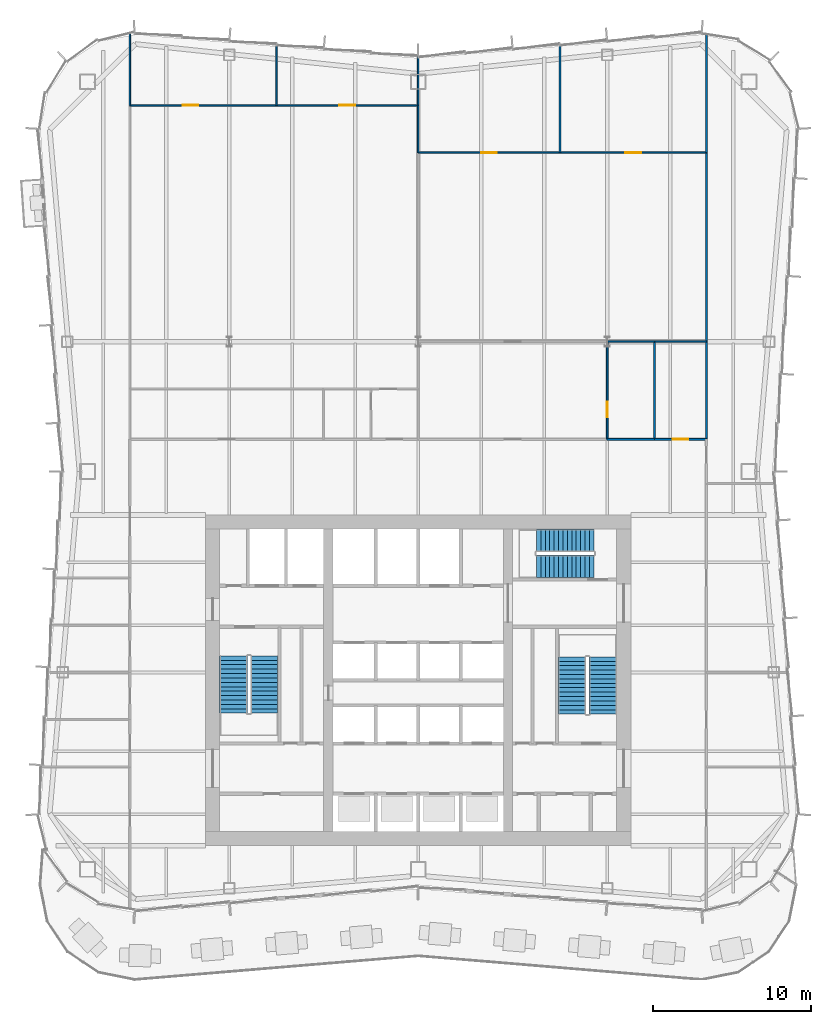
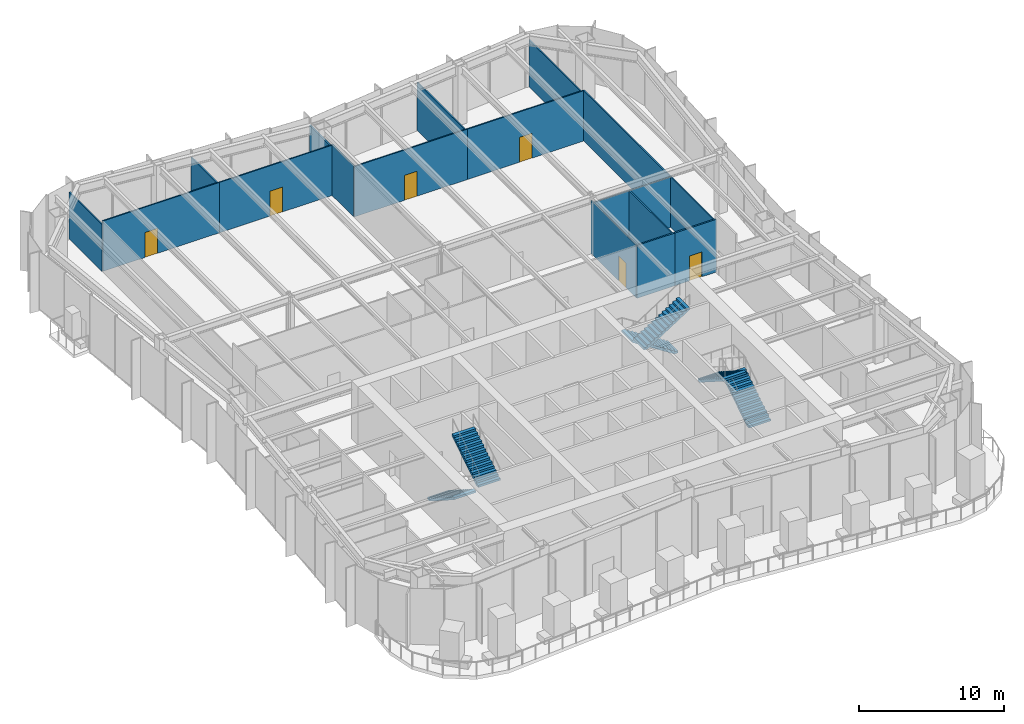
# One storey, part 12 of 16: 18 walls, 6 doors, 6 stair flights, 6 openings, 3 elements without a shape of their own.
"""IFC4 building model written with IfcOpenShell, lengths in metres."""

from ifc_helpers import new_model, si_unit, direction, frame, frame_2d, origin, place, context, subcontext, project, spatial, polyline, rectangle, outline, extrude, material, layer, layer_set, type_object, element, fill, aggregate, save


model = new_model("IFC4")

# Units and contexts
model_context = context("Model", 3, precision=1e-05, world=origin(), true_north=direction((0.0, 1.0)))
body_context = subcontext(model_context, "Body", "Model", "MODEL_VIEW")
ifc_project = project(units=[si_unit("LENGTHUNIT", "METRE"), si_unit("AREAUNIT", "SQUARE_METRE"), si_unit("VOLUMEUNIT", "CUBIC_METRE"), si_unit("PLANEANGLEUNIT", "RADIAN"), si_unit("MASSUNIT", "GRAM", prefix="KILO")], contexts=[model_context])

# Site, building, storey
site_placement = place(None, origin())
site = spatial("IfcSite", under=ifc_project, at=site_placement, CompositionType="ELEMENT")
building_placement = place(site_placement, origin())
building = spatial("IfcBuilding", under=site, at=building_placement, Name="Verdant Reach Tower", CompositionType="ELEMENT")
storey_placement = place(building_placement, frame((0.0, 0.0, 177.0)))
storey = spatial("IfcBuildingStorey", under=building, at=storey_placement, Name="L40", CompositionType="ELEMENT", Elevation=177.0)

# Wall, opening, door
ifc_material_1 = material(Name="Gypsum board on steel studs", Category="steel")
ifc_layer_1 = layer(ifc_material_1, 0.10009765625)
ifc_layer_set_1 = layer_set([ifc_layer_1], Name="FL-W1 Partition 100")
wall_type_1 = type_object("IfcWallType", Name="FL-W1 Partition 100", PredefinedType="PARTITIONING", material=ifc_layer_set_1)
wall_1_placement = place(storey_placement, frame((-18.300048828125, 64.5, 0.0), z_axis=(0.0, 0.0, 1.0), x_axis=(1.0, 0.0, 0.0)))
wall_1 = element("IfcWall", 1, at=wall_1_placement, inside=storey, type_object=wall_type_1, Name="Partition 40.24", PredefinedType="PARTITIONING", context=body_context, shape_type="SweptSolid", body=[
    extrude(rectangle(XDim=9.300048828125, YDim=0.10009765625, at=frame_2d((4.64990234375, 0.0))), origin(), (0.0, 0.0, 1.0), 4.239990234375),
])
opening_1_placement = place(wall_1_placement, frame((3.35009765625, 0.0, 0.0)))
opening_1 = element("IfcOpeningElement", 2, at=opening_1_placement, cuts=wall_1, Name="Opening D3", PredefinedType="OPENING", context=body_context, shape_type="SweptSolid", body=[
    extrude(rectangle(XDim=1.0, YDim=2.10009765625, at=frame_2d((0.5, 1.050048828125))), frame((0.0, 0.06005859375, 0.0), z_axis=(0.0, -1.0, 0.0), x_axis=(1.0, 0.0, 0.0)), (0.0, 0.0, 1.0), 0.1201171875),
])
ifc_material_2 = material(Name="Painted timber door leaf", Category="wood")
door_type_1 = type_object("IfcDoorType", Name="FL-D3 Door 1000x2100", OperationType="NOTDEFINED", PredefinedType="DOOR", material=ifc_material_2)
door_1_placement = place(opening_1_placement, origin())
door_1 = element("IfcDoor", 3, at=door_1_placement, inside=storey, type_object=door_type_1, Name="Door 40-017", OperationType="SINGLE_SWING_LEFT", OverallHeight=2.10009765625, OverallWidth=1.0, PredefinedType="DOOR", context=body_context, shape_type="SweptSolid", body=[
    extrude(rectangle(XDim=1.0, YDim=2.10009765625, at=frame_2d((0.5, 1.050048828125))), frame((0.0, 0.02490234375, 0.0), z_axis=(0.0, -1.0, 0.0), x_axis=(1.0, 0.0, 0.0)), (0.0, 0.0, 1.0), 0.050048828125),
])
fill(opening_1, door_1)

wall_2_placement = place(storey_placement, frame((-9.0, 64.5, 0.0), z_axis=(0.0, 0.0, 1.0), x_axis=(1.0, 0.0, 0.0)))
wall_2 = element("IfcWall", 4, at=wall_2_placement, inside=storey, type_object=wall_type_1, Name="Partition 40.25", PredefinedType="PARTITIONING", context=body_context, shape_type="SweptSolid", body=[
    extrude(rectangle(XDim=9.0, YDim=0.10009765625, at=frame_2d((4.5, 0.0))), origin(), (0.0, 0.0, 1.0), 4.239990234375),
])
opening_2_placement = place(wall_2_placement, frame((4.0, 0.0, 0.0)))
opening_2 = element("IfcOpeningElement", 5, at=opening_2_placement, cuts=wall_2, Name="Opening D3", PredefinedType="OPENING", context=body_context, shape_type="SweptSolid", body=[
    extrude(rectangle(XDim=1.0, YDim=2.10009765625, at=frame_2d((0.5, 1.050048828125))), frame((0.0, 0.06005859375, 0.0), z_axis=(0.0, -1.0, 0.0), x_axis=(1.0, 0.0, 0.0)), (0.0, 0.0, 1.0), 0.1201171875),
])
door_2_placement = place(opening_2_placement, origin())
door_2 = element("IfcDoor", 6, at=door_2_placement, inside=storey, type_object=door_type_1, Name="Door 40-018", OperationType="SINGLE_SWING_RIGHT", OverallHeight=2.10009765625, OverallWidth=1.0, PredefinedType="DOOR", context=body_context, shape_type="SweptSolid", body=[
    extrude(rectangle(XDim=1.0, YDim=2.10009765625, at=frame_2d((0.5, 1.050048828125))), frame((0.0, 0.02490234375, 0.0), z_axis=(0.0, -1.0, 0.0), x_axis=(1.0, 0.0, 0.0)), (0.0, 0.0, 1.0), 0.050048828125),
])
fill(opening_2, door_2)

# Walls
wall_3_placement = place(storey_placement, frame((0.0, 61.5, 0.0), z_axis=(0.0, 0.0, 1.0), x_axis=(0.0, 1.0, 0.0)))
element("IfcWall", 7, at=wall_3_placement, inside=storey, type_object=wall_type_1, Name="Partition 40.28", PredefinedType="PARTITIONING", context=body_context, shape_type="SweptSolid", body=[
    extrude(rectangle(XDim=3.00390625, YDim=0.10009765625, at=frame_2d((1.501953125, 0.0))), origin(), (0.0, 0.0, 1.0), 4.2900390625),
])
wall_4_placement = place(storey_placement, frame((-9.0, 64.5, 0.0), z_axis=(0.0, 0.0, 1.0), x_axis=(0.0, 1.0, 0.0)))
element("IfcWall", 8, at=wall_4_placement, inside=storey, type_object=wall_type_1, Name="Partition 40.30", PredefinedType="PARTITIONING", context=body_context, shape_type="SweptSolid", body=[
    extrude(rectangle(XDim=3.830078125, YDim=0.10009765625, at=frame_2d((1.9150390625, 0.0))), origin(), (0.0, 0.0, 1.0), 4.0400390625),
])
wall_5_placement = place(storey_placement, frame((-18.300048828125, 69.020263671875, 0.0), z_axis=(0.0, 0.0, 1.0), x_axis=(0.0, -1.0, 0.0)))
element("IfcWall", 9, at=wall_5_placement, inside=storey, type_object=wall_type_1, Name="Partition 40.31", PredefinedType="PARTITIONING", context=body_context, shape_type="SweptSolid", body=[
    extrude(rectangle(XDim=4.524169921875, YDim=0.10009765625, at=frame_2d((2.26220703125, 0.0))), origin(), (0.0, 0.0, 1.0), 3.929931640625),
])
wall_6_placement = place(storey_placement, frame((0.0, 64.49609375, 0.0), z_axis=(0.0, 0.0, 1.0), x_axis=(0.0, 1.0, 0.0)))
element("IfcWall", 10, at=wall_6_placement, inside=storey, type_object=wall_type_1, Name="Partition 40.32", PredefinedType="PARTITIONING", context=body_context, shape_type="SweptSolid", body=[
    extrude(rectangle(XDim=3.083984375, YDim=0.10009765625, at=frame_2d((1.5419921875, 0.0))), origin(), (0.0, 0.0, 1.0), 4.0400390625),
])

# Wall, opening, door
wall_7_placement = place(storey_placement, frame((12.0, 49.5, 0.0), z_axis=(0.0, 0.0, 1.0), x_axis=(0.0, -1.0, 0.0)))
wall_7 = element("IfcWall", 11, at=wall_7_placement, inside=storey, type_object=wall_type_1, Name="Partition 40.33", PredefinedType="PARTITIONING", context=body_context, shape_type="SweptSolid", body=[
    extrude(rectangle(XDim=6.199951171875, YDim=0.10009765625, at=frame_2d((3.10009765625, 0.0))), origin(), (0.0, 0.0, 1.0), 4.43994140625),
])
opening_3_placement = place(wall_7_placement, frame((3.800048828125, 0.0, 0.0)))
opening_3 = element("IfcOpeningElement", 12, at=opening_3_placement, cuts=wall_7, Name="Opening D3", PredefinedType="OPENING", context=body_context, shape_type="SweptSolid", body=[
    extrude(rectangle(XDim=1.0, YDim=2.10009765625, at=frame_2d((0.5, 1.050048828125))), frame((0.0, 0.06005859375, 0.0), z_axis=(0.0, -1.0, 0.0), x_axis=(1.0, 0.0, 0.0)), (0.0, 0.0, 1.0), 0.1201171875),
])
door_3_placement = place(opening_3_placement, origin())
door_3 = element("IfcDoor", 13, at=door_3_placement, inside=storey, type_object=door_type_1, Name="Door 40-019", OperationType="SINGLE_SWING_RIGHT", OverallHeight=2.10009765625, OverallWidth=1.0, PredefinedType="DOOR", context=body_context, shape_type="SweptSolid", body=[
    extrude(rectangle(XDim=1.0, YDim=2.10009765625, at=frame_2d((0.5, 1.050048828125))), frame((0.0, 0.02490234375, 0.0), z_axis=(0.0, -1.0, 0.0), x_axis=(1.0, 0.0, 0.0)), (0.0, 0.0, 1.0), 0.050048828125),
])
fill(opening_3, door_3)

# Walls
wall_8_placement = place(storey_placement, frame((15.0, 43.300048828125, 0.0), z_axis=(0.0, 0.0, 1.0), x_axis=(0.0, 1.0, 0.0)))
element("IfcWall", 14, at=wall_8_placement, inside=storey, type_object=wall_type_1, Name="Partition 40.35", PredefinedType="PARTITIONING", context=body_context, shape_type="SweptSolid", body=[
    extrude(rectangle(XDim=6.199951171875, YDim=0.10009765625, at=frame_2d((3.10009765625, 0.0))), origin(), (0.0, 0.0, 1.0), 4.239990234375),
])
wall_9_placement = place(storey_placement, frame((15.00390625, 49.5, 0.0), z_axis=(0.0, 0.0, 1.0), x_axis=(-1.0, 0.0, 0.0)))
element("IfcWall", 15, at=wall_9_placement, inside=storey, type_object=wall_type_1, Name="Partition 40.36", PredefinedType="PARTITIONING", context=body_context, shape_type="SweptSolid", body=[
    extrude(rectangle(XDim=3.0078125, YDim=0.10009765625, at=frame_2d((1.50390625, 0.0))), origin(), (0.0, 0.0, 1.0), 4.239990234375),
])
wall_10_placement = place(storey_placement, frame((18.300048828125, 49.5, 0.0), z_axis=(0.0, 0.0, 1.0), x_axis=(-1.0, 0.0, 0.0)))
element("IfcWall", 16, at=wall_10_placement, inside=storey, type_object=wall_type_1, Name="Partition 40.37", PredefinedType="PARTITIONING", context=body_context, shape_type="SweptSolid", body=[
    extrude(rectangle(XDim=3.303955078125, YDim=0.10009765625, at=frame_2d((1.65185546875, 0.0))), origin(), (0.0, 0.0, 1.0), 4.239990234375),
])
wall_11_placement = place(storey_placement, frame((18.300048828125, 43.2958984375, 0.0), z_axis=(0.0, 0.0, 1.0), x_axis=(0.0, 1.0, 0.0)))
element("IfcWall", 17, at=wall_11_placement, inside=storey, type_object=wall_type_1, Name="Partition 40.38", PredefinedType="PARTITIONING", context=body_context, shape_type="SweptSolid", body=[
    extrude(rectangle(XDim=6.2080078125, YDim=0.10009765625, at=frame_2d((3.10400390625, 0.0))), origin(), (0.0, 0.0, 1.0), 4.239990234375),
])

# Wall, opening, door
wall_12_placement = place(storey_placement, frame((0.0, 61.5, 0.0), z_axis=(0.0, 0.0, 1.0), x_axis=(1.0, 0.0, 0.0)))
wall_12 = element("IfcWall", 18, at=wall_12_placement, inside=storey, type_object=wall_type_1, Name="Partition 40.39", PredefinedType="PARTITIONING", context=body_context, shape_type="SweptSolid", body=[
    extrude(rectangle(XDim=9.0, YDim=0.10009765625, at=frame_2d((4.5, 0.0))), origin(), (0.0, 0.0, 1.0), 4.239990234375),
])
opening_4_placement = place(wall_12_placement, frame((4.0, 0.0, 0.0)))
opening_4 = element("IfcOpeningElement", 19, at=opening_4_placement, cuts=wall_12, Name="Opening D3", PredefinedType="OPENING", context=body_context, shape_type="SweptSolid", body=[
    extrude(rectangle(XDim=1.0, YDim=2.10009765625, at=frame_2d((0.5, 1.050048828125))), frame((0.0, 0.06005859375, 0.0), z_axis=(0.0, -1.0, 0.0), x_axis=(1.0, 0.0, 0.0)), (0.0, 0.0, 1.0), 0.1201171875),
])
door_4_placement = place(opening_4_placement, origin())
door_4 = element("IfcDoor", 20, at=door_4_placement, inside=storey, type_object=door_type_1, Name="Door 40-021", OperationType="SINGLE_SWING_LEFT", OverallHeight=2.10009765625, OverallWidth=1.0, PredefinedType="DOOR", context=body_context, shape_type="SweptSolid", body=[
    extrude(rectangle(XDim=1.0, YDim=2.10009765625, at=frame_2d((0.5, 1.050048828125))), frame((0.0, 0.02490234375, 0.0), z_axis=(0.0, -1.0, 0.0), x_axis=(1.0, 0.0, 0.0)), (0.0, 0.0, 1.0), 0.050048828125),
])
fill(opening_4, door_4)

wall_13_placement = place(storey_placement, frame((9.0, 61.5, 0.0), z_axis=(0.0, 0.0, 1.0), x_axis=(1.0, 0.0, 0.0)))
wall_13 = element("IfcWall", 21, at=wall_13_placement, inside=storey, type_object=wall_type_1, Name="Partition 40.40", PredefinedType="PARTITIONING", context=body_context, shape_type="SweptSolid", body=[
    extrude(rectangle(XDim=9.300048828125, YDim=0.10009765625, at=frame_2d((4.64990234375, 0.0))), origin(), (0.0, 0.0, 1.0), 4.239990234375),
])
opening_5_placement = place(wall_13_placement, frame((4.14990234375, 0.0, 0.0)))
opening_5 = element("IfcOpeningElement", 22, at=opening_5_placement, cuts=wall_13, Name="Opening D3", PredefinedType="OPENING", context=body_context, shape_type="SweptSolid", body=[
    extrude(rectangle(XDim=1.0, YDim=2.10009765625, at=frame_2d((0.5, 1.050048828125))), frame((0.0, 0.06005859375, 0.0), z_axis=(0.0, -1.0, 0.0), x_axis=(1.0, 0.0, 0.0)), (0.0, 0.0, 1.0), 0.1201171875),
])
door_5_placement = place(opening_5_placement, origin())
door_5 = element("IfcDoor", 23, at=door_5_placement, inside=storey, type_object=door_type_1, Name="Door 40-022", OperationType="SINGLE_SWING_RIGHT", OverallHeight=2.10009765625, OverallWidth=1.0, PredefinedType="DOOR", context=body_context, shape_type="SweptSolid", body=[
    extrude(rectangle(XDim=1.0, YDim=2.10009765625, at=frame_2d((0.5, 1.050048828125))), frame((0.0, 0.02490234375, 0.0), z_axis=(0.0, -1.0, 0.0), x_axis=(1.0, 0.0, 0.0)), (0.0, 0.0, 1.0), 0.050048828125),
])
fill(opening_5, door_5)

# Walls
wall_14_placement = place(storey_placement, frame((18.300048828125, 49.49609375, 0.0), z_axis=(0.0, 0.0, 1.0), x_axis=(0.0, 1.0, 0.0)))
element("IfcWall", 24, at=wall_14_placement, inside=storey, type_object=wall_type_1, Name="Partition 40.41", PredefinedType="PARTITIONING", context=body_context, shape_type="SweptSolid", body=[
    extrude(rectangle(XDim=12.0078125, YDim=0.10009765625, at=frame_2d((6.00390625, 0.0))), origin(), (0.0, 0.0, 1.0), 4.239990234375),
])
wall_15_placement = place(storey_placement, frame((9.0, 61.5, 0.0), z_axis=(0.0, 0.0, 1.0), x_axis=(0.0, 1.0, 0.0)))
element("IfcWall", 25, at=wall_15_placement, inside=storey, type_object=wall_type_1, Name="Partition 40.42", PredefinedType="PARTITIONING", context=body_context, shape_type="SweptSolid", body=[
    extrude(rectangle(XDim=6.830078125, YDim=0.10009765625, at=frame_2d((3.4150390625, 0.0))), origin(), (0.0, 0.0, 1.0), 4.0400390625),
])
wall_16_placement = place(storey_placement, frame((18.300048828125, 61.49609375, 0.0), z_axis=(0.0, 0.0, 1.0), x_axis=(0.0, 1.0, 0.0)))
element("IfcWall", 26, at=wall_16_placement, inside=storey, type_object=wall_type_1, Name="Partition 40.43", PredefinedType="PARTITIONING", context=body_context, shape_type="SweptSolid", body=[
    extrude(rectangle(XDim=7.524169921875, YDim=0.10009765625, at=frame_2d((3.76220703125, 0.0))), origin(), (0.0, 0.0, 1.0), 3.929931640625),
])
ifc_material_3 = material(Name="Gypsum board on steel studs, fire rated", Category="steel")
ifc_layer_2 = layer(ifc_material_3, 0.125)
ifc_layer_set_2 = layer_set([ifc_layer_2], Name="FL-W2 Corridor wall 125")
wall_type_2 = type_object("IfcWallType", Name="FL-W2 Corridor wall 125", PredefinedType="PARTITIONING", material=ifc_layer_set_2)
wall_17_placement = place(storey_placement, frame((15.0, 43.300048828125, 0.0), z_axis=(0.0, 0.0, 1.0), x_axis=(-1.0, 0.0, 0.0)))
element("IfcWall", 27, at=wall_17_placement, inside=storey, type_object=wall_type_2, Name="Partition 40.05", PredefinedType="PARTITIONING", context=body_context, shape_type="SweptSolid", body=[
    extrude(rectangle(XDim=3.0, YDim=0.125, at=frame_2d((1.5, 0.0))), origin(), (0.0, 0.0, 1.0), 4.43994140625),
])

# Wall, opening, door
wall_18_placement = place(storey_placement, frame((15.0, 43.300048828125, 0.0), z_axis=(0.0, 0.0, 1.0), x_axis=(1.0, 0.0, 0.0)))
wall_18 = element("IfcWall", 28, at=wall_18_placement, inside=storey, type_object=wall_type_2, Name="Partition 40.06", PredefinedType="PARTITIONING", context=body_context, shape_type="SweptSolid", body=[
    extrude(rectangle(XDim=3.300048828125, YDim=0.125, at=frame_2d((1.64990234375, 0.0))), origin(), (0.0, 0.0, 1.0), 4.43994140625),
])
opening_6_placement = place(wall_18_placement, frame((1.14990234375, 0.0, 0.0)))
opening_6 = element("IfcOpeningElement", 29, at=opening_6_placement, cuts=wall_18, Name="Opening D2", PredefinedType="OPENING", context=body_context, shape_type="SweptSolid", body=[
    extrude(rectangle(XDim=1.0, YDim=2.10009765625, at=frame_2d((0.5, 1.050048828125))), frame((0.0, 0.072509765625, 0.0), z_axis=(0.0, -1.0, 0.0), x_axis=(1.0, 0.0, 0.0)), (0.0, 0.0, 1.0), 0.14501953125),
])
ifc_material_4 = material(Name="Timber door leaf, fire rated", Category="wood")
door_type_2 = type_object("IfcDoorType", Name="FL-D2 Entrance door 1000x2100 FD30", OperationType="NOTDEFINED", PredefinedType="DOOR", material=ifc_material_4)
door_6_placement = place(opening_6_placement, origin())
door_6 = element("IfcDoor", 30, at=door_6_placement, inside=storey, type_object=door_type_2, Name="Door 40-004", OperationType="SINGLE_SWING_RIGHT", OverallHeight=2.10009765625, OverallWidth=1.0, PredefinedType="DOOR", context=body_context, shape_type="SweptSolid", body=[
    extrude(rectangle(XDim=1.0, YDim=2.10009765625, at=frame_2d((0.5, 1.050048828125))), frame((0.0, 0.02490234375, 0.0), z_axis=(0.0, -1.0, 0.0), x_axis=(1.0, 0.0, 0.0)), (0.0, 0.0, 1.0), 0.050048828125),
])
fill(opening_6, door_6)

# Stair, stair flights
ifc_material_5 = material(Name="Concrete C40/50", Category="concrete")
stair_type = type_object("IfcStairType", Name="CO-STAIR", PredefinedType="HALF_TURN_STAIR", material=ifc_material_5)
stair_1_placement = place(storey_placement, origin())
stair_1 = element("IfcStair", 31, at=stair_1_placement, inside=storey, type_object=stair_type, Name="L40 Exit stair 1", PredefinedType="HALF_TURN_STAIR")
stair_flight_type = type_object("IfcStairFlightType", Name="CO-STAIR-FLIGHT", PredefinedType="STRAIGHT", material=ifc_material_5)
stair_flight_1_placement = place(storey_placement, frame((-11.72509765625, 29.550048828125, 0.0), z_axis=(0.0, 0.0, 1.0), x_axis=(0.0, -1.0, 0.0)))
stair_flight_1 = element("IfcStairFlight", 32, at=stair_flight_1_placement, type_object=stair_flight_type, Name="ST-1 flight 1", NumberOfRisers=14, NumberOfTreads=13, PredefinedType="STRAIGHT", RiserHeight=0.178571429, TreadLength=0.28, context=body_context, shape_type="SweptSolid", body=[
    extrude(outline(polyline([(0.0, 0.0), (0.0, 0.178466796875), (0.280029296875, 0.178466796875), (0.280029296875, 0.357177734375), (0.56005859375, 0.357177734375), (0.56005859375, 0.53564453125), (0.840087890625, 0.53564453125), (0.840087890625, 0.71435546875), (1.1201171875, 0.71435546875), (1.1201171875, 0.892822265625), (1.39990234375, 0.892822265625), (1.39990234375, 1.071533203125), (1.679931640625, 1.071533203125), (1.679931640625, 1.25), (1.9599609375, 1.25), (1.9599609375, 1.428466796875), (2.239990234375, 1.428466796875), (2.239990234375, 1.607177734375), (2.52001953125, 1.607177734375), (2.52001953125, 1.78564453125), (2.800048828125, 1.78564453125), (2.800048828125, 1.96435546875), (3.080078125, 1.96435546875), (3.080078125, 2.142822265625), (3.360107421875, 2.142822265625), (3.360107421875, 2.321533203125), (3.639892578125, 2.321533203125), (3.639892578125, 2.5), (3.639892578125, 2.1435546875), (0.27880859375, 0.0), (0.0, 0.0)])), frame((0.0, 0.875, 0.0), z_axis=(0.0, -1.0, 0.0), x_axis=(1.0, 0.0, 0.0)), (0.0, 0.0, 1.0), 1.75),
])
stair_flight_2_placement = place(storey_placement, frame((-9.77490234375, 25.909912109375, 2.5), z_axis=(0.0, 0.0, 1.0), x_axis=(0.0, 1.0, 0.0)))
stair_flight_2 = element("IfcStairFlight", 33, at=stair_flight_2_placement, type_object=stair_flight_type, Name="ST-1 flight 2", NumberOfRisers=14, NumberOfTreads=13, PredefinedType="STRAIGHT", RiserHeight=0.178571429, TreadLength=0.28, context=body_context, shape_type="SweptSolid", body=[
    extrude(outline(polyline([(0.0, 0.0), (0.0, 0.178466796875), (0.280029296875, 0.178466796875), (0.280029296875, 0.357177734375), (0.56005859375, 0.357177734375), (0.56005859375, 0.53564453125), (0.840087890625, 0.53564453125), (0.840087890625, 0.71435546875), (1.1201171875, 0.71435546875), (1.1201171875, 0.892822265625), (1.39990234375, 0.892822265625), (1.39990234375, 1.071533203125), (1.679931640625, 1.071533203125), (1.679931640625, 1.25), (1.9599609375, 1.25), (1.9599609375, 1.428466796875), (2.239990234375, 1.428466796875), (2.239990234375, 1.607177734375), (2.52001953125, 1.607177734375), (2.52001953125, 1.78564453125), (2.800048828125, 1.78564453125), (2.800048828125, 1.96435546875), (3.080078125, 1.96435546875), (3.080078125, 2.142822265625), (3.360107421875, 2.142822265625), (3.360107421875, 2.321533203125), (3.639892578125, 2.321533203125), (3.639892578125, 2.5), (3.639892578125, 2.1435546875), (0.27880859375, 0.0), (0.0, 0.0)])), frame((0.0, 0.875, 0.0), z_axis=(0.0, -1.0, 0.0), x_axis=(1.0, 0.0, 0.0)), (0.0, 0.0, 1.0), 1.75),
])
aggregate(stair_1, [stair_flight_1, stair_flight_2])

stair_2_placement = place(storey_placement, origin())
stair_2 = element("IfcStair", 34, at=stair_2_placement, inside=storey, type_object=stair_type, Name="L40 Exit stair 2", PredefinedType="HALF_TURN_STAIR")
stair_flight_3_placement = place(storey_placement, frame((11.72509765625, 25.85009765625, 0.0), z_axis=(0.0, 0.0, 1.0), x_axis=(0.0, 1.0, 0.0)))
stair_flight_3 = element("IfcStairFlight", 35, at=stair_flight_3_placement, type_object=stair_flight_type, Name="ST-2 flight 1", NumberOfRisers=14, NumberOfTreads=13, PredefinedType="STRAIGHT", RiserHeight=0.178571429, TreadLength=0.28, context=body_context, shape_type="SweptSolid", body=[
    extrude(outline(polyline([(0.0, 0.0), (0.0, 0.178466796875), (0.280029296875, 0.178466796875), (0.280029296875, 0.357177734375), (0.56005859375, 0.357177734375), (0.56005859375, 0.53564453125), (0.840087890625, 0.53564453125), (0.840087890625, 0.71435546875), (1.1201171875, 0.71435546875), (1.1201171875, 0.892822265625), (1.39990234375, 0.892822265625), (1.39990234375, 1.071533203125), (1.679931640625, 1.071533203125), (1.679931640625, 1.25), (1.9599609375, 1.25), (1.9599609375, 1.428466796875), (2.239990234375, 1.428466796875), (2.239990234375, 1.607177734375), (2.52001953125, 1.607177734375), (2.52001953125, 1.78564453125), (2.800048828125, 1.78564453125), (2.800048828125, 1.96435546875), (3.080078125, 1.96435546875), (3.080078125, 2.142822265625), (3.360107421875, 2.142822265625), (3.360107421875, 2.321533203125), (3.639892578125, 2.321533203125), (3.639892578125, 2.5), (3.639892578125, 2.1435546875), (0.27880859375, 0.0), (0.0, 0.0)])), frame((0.0, 0.875, 0.0), z_axis=(0.0, -1.0, 0.0), x_axis=(1.0, 0.0, 0.0)), (0.0, 0.0, 1.0), 1.75),
])
stair_flight_4_placement = place(storey_placement, frame((9.77490234375, 29.489990234375, 2.5), z_axis=(0.0, 0.0, 1.0), x_axis=(0.0, -1.0, 0.0)))
stair_flight_4 = element("IfcStairFlight", 36, at=stair_flight_4_placement, type_object=stair_flight_type, Name="ST-2 flight 2", NumberOfRisers=14, NumberOfTreads=13, PredefinedType="STRAIGHT", RiserHeight=0.178571429, TreadLength=0.28, context=body_context, shape_type="SweptSolid", body=[
    extrude(outline(polyline([(0.0, 0.0), (0.0, 0.178466796875), (0.280029296875, 0.178466796875), (0.280029296875, 0.357177734375), (0.56005859375, 0.357177734375), (0.56005859375, 0.53564453125), (0.840087890625, 0.53564453125), (0.840087890625, 0.71435546875), (1.1201171875, 0.71435546875), (1.1201171875, 0.892822265625), (1.39990234375, 0.892822265625), (1.39990234375, 1.071533203125), (1.679931640625, 1.071533203125), (1.679931640625, 1.25), (1.9599609375, 1.25), (1.9599609375, 1.428466796875), (2.239990234375, 1.428466796875), (2.239990234375, 1.607177734375), (2.52001953125, 1.607177734375), (2.52001953125, 1.78564453125), (2.800048828125, 1.78564453125), (2.800048828125, 1.96435546875), (3.080078125, 1.96435546875), (3.080078125, 2.142822265625), (3.360107421875, 2.142822265625), (3.360107421875, 2.321533203125), (3.639892578125, 2.321533203125), (3.639892578125, 2.5), (3.639892578125, 2.1435546875), (0.27880859375, 0.0), (0.0, 0.0)])), frame((0.0, 0.875, 0.0), z_axis=(0.0, -1.0, 0.0), x_axis=(1.0, 0.0, 0.0)), (0.0, 0.0, 1.0), 1.75),
])
aggregate(stair_2, [stair_flight_3, stair_flight_4])

stair_3_placement = place(storey_placement, origin())
stair_3 = element("IfcStair", 37, at=stair_3_placement, inside=storey, type_object=stair_type, Name="L40 Exit stair 3", PredefinedType="HALF_TURN_STAIR")
stair_flight_5_placement = place(storey_placement, frame((11.14990234375, 36.875, 0.0), z_axis=(0.0, 0.0, 1.0), x_axis=(-1.0, 0.0, 0.0)))
stair_flight_5 = element("IfcStairFlight", 38, at=stair_flight_5_placement, type_object=stair_flight_type, Name="ST-3 flight 1", NumberOfRisers=14, NumberOfTreads=13, PredefinedType="STRAIGHT", RiserHeight=0.178571429, TreadLength=0.28, context=body_context, shape_type="SweptSolid", body=[
    extrude(outline(polyline([(0.0, 0.0), (0.0, 0.178466796875), (0.280029296875, 0.178466796875), (0.280029296875, 0.357177734375), (0.56005859375, 0.357177734375), (0.56005859375, 0.53564453125), (0.840087890625, 0.53564453125), (0.840087890625, 0.71435546875), (1.1201171875, 0.71435546875), (1.1201171875, 0.892822265625), (1.39990234375, 0.892822265625), (1.39990234375, 1.071533203125), (1.679931640625, 1.071533203125), (1.679931640625, 1.25), (1.9599609375, 1.25), (1.9599609375, 1.428466796875), (2.239990234375, 1.428466796875), (2.239990234375, 1.607177734375), (2.52001953125, 1.607177734375), (2.52001953125, 1.78564453125), (2.800048828125, 1.78564453125), (2.800048828125, 1.96435546875), (3.080078125, 1.96435546875), (3.080078125, 2.142822265625), (3.360107421875, 2.142822265625), (3.360107421875, 2.321533203125), (3.639892578125, 2.321533203125), (3.639892578125, 2.5), (3.639892578125, 2.1435546875), (0.27880859375, 0.0), (0.0, 0.0)])), frame((0.0, 0.72509765625, 0.0), z_axis=(0.0, -1.0, 0.0), x_axis=(1.0, 0.0, 0.0)), (0.0, 0.0, 1.0), 1.449951171875),
])
stair_flight_6_placement = place(storey_placement, frame((7.510009765625, 35.22509765625, 2.5), z_axis=(0.0, 0.0, 1.0), x_axis=(1.0, 0.0, 0.0)))
stair_flight_6 = element("IfcStairFlight", 39, at=stair_flight_6_placement, type_object=stair_flight_type, Name="ST-3 flight 2", NumberOfRisers=14, NumberOfTreads=13, PredefinedType="STRAIGHT", RiserHeight=0.178571429, TreadLength=0.28, context=body_context, shape_type="SweptSolid", body=[
    extrude(outline(polyline([(0.0, 0.0), (0.0, 0.178466796875), (0.280029296875, 0.178466796875), (0.280029296875, 0.357177734375), (0.56005859375, 0.357177734375), (0.56005859375, 0.53564453125), (0.840087890625, 0.53564453125), (0.840087890625, 0.71435546875), (1.1201171875, 0.71435546875), (1.1201171875, 0.892822265625), (1.39990234375, 0.892822265625), (1.39990234375, 1.071533203125), (1.679931640625, 1.071533203125), (1.679931640625, 1.25), (1.9599609375, 1.25), (1.9599609375, 1.428466796875), (2.239990234375, 1.428466796875), (2.239990234375, 1.607177734375), (2.52001953125, 1.607177734375), (2.52001953125, 1.78564453125), (2.800048828125, 1.78564453125), (2.800048828125, 1.96435546875), (3.080078125, 1.96435546875), (3.080078125, 2.142822265625), (3.360107421875, 2.142822265625), (3.360107421875, 2.321533203125), (3.639892578125, 2.321533203125), (3.639892578125, 2.5), (3.639892578125, 2.1435546875), (0.27880859375, 0.0), (0.0, 0.0)])), frame((0.0, 0.72509765625, 0.0), z_axis=(0.0, -1.0, 0.0), x_axis=(1.0, 0.0, 0.0)), (0.0, 0.0, 1.0), 1.449951171875),
])
aggregate(stair_3, [stair_flight_5, stair_flight_6])

save(model, "model.ifc")
